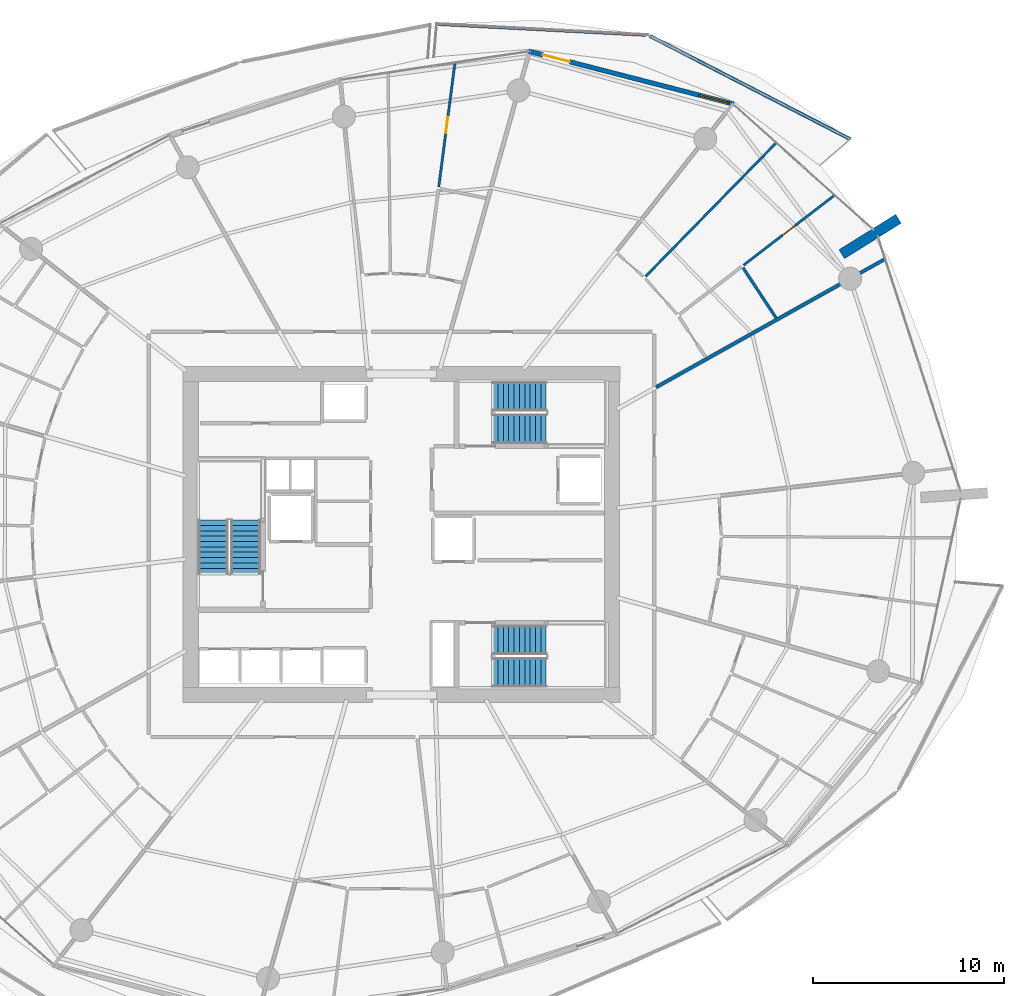
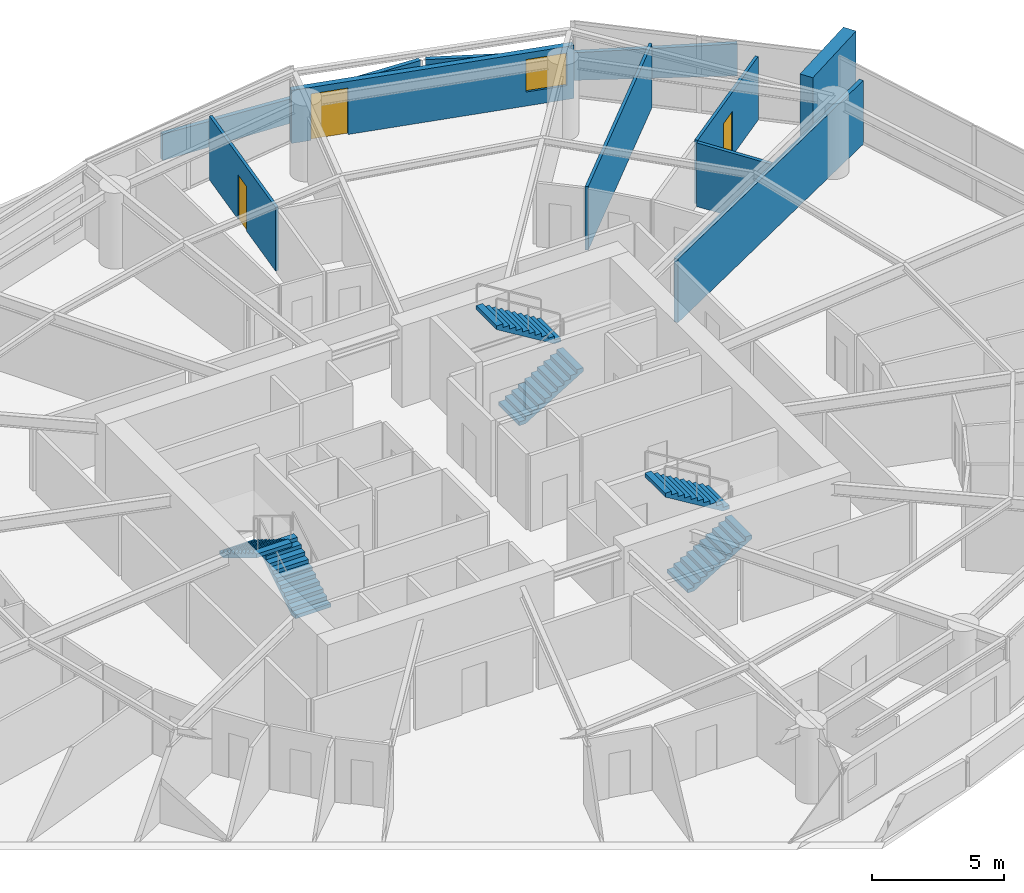
# One storey, part 16 of 23: 9 walls, 6 stair flights, 3 doors, 1 window, 4 openings, 3 elements without a shape of their own.
"""IFC4 building model written with IfcOpenShell, lengths in metres."""

from ifc_helpers import new_model, si_unit, direction, frame, frame_2d, origin, place, context, subcontext, project, spatial, polyline, rectangle, outline, extrude, material, layer, layer_set, type_object, element, fill, aggregate, save


model = new_model("IFC4")

# Units and contexts
model_context = context("Model", 3, precision=1e-05, world=origin(), true_north=direction((0.0, 1.0)))
body_context = subcontext(model_context, "Body", "Model", "MODEL_VIEW")
ifc_project = project(units=[si_unit("LENGTHUNIT", "METRE"), si_unit("AREAUNIT", "SQUARE_METRE"), si_unit("VOLUMEUNIT", "CUBIC_METRE"), si_unit("PLANEANGLEUNIT", "RADIAN"), si_unit("MASSUNIT", "GRAM", prefix="KILO")], contexts=[model_context])

# Site, building, storey
site_placement = place(None, origin())
site = spatial("IfcSite", under=ifc_project, at=site_placement, CompositionType="ELEMENT")
building_placement = place(site_placement, origin())
building = spatial("IfcBuilding", under=site, at=building_placement, Name="Kazma Halo Residences", CompositionType="ELEMENT")
storey_placement = place(building_placement, frame((0.0, 0.0, 82.64990234375)))
storey = spatial("IfcBuildingStorey", under=building, at=storey_placement, Name="L20", CompositionType="ELEMENT", Elevation=82.64990234375)

# Walls
ifc_material_1 = material(Name="White Concrete C50/60 Balustrade", Category="concrete")
ifc_layer_1 = layer(ifc_material_1, 0.179931640625)
ifc_layer_set_1 = layer_set([ifc_layer_1], Name="White Concrete C50/60 Balustrade")
wall_type_1 = type_object("IfcWallType", Name="WL-BAL-WAVE-180", PredefinedType="PARAPET", material=ifc_layer_set_1)
wall_1_placement = place(storey_placement, frame((71.92041015625, 62.68408203125, 0.0), z_axis=(0.0, 0.0, 1.0), x_axis=(-0.888984508261, 0.457937270892, 0.0)))
element("IfcWall", 1, at=wall_1_placement, inside=storey, type_object=wall_type_1, Name="L20 white wave balustrade wall NE.1", PredefinedType="PARAPET", context=body_context, shape_type="SweptSolid", body=[
    extrude(outline(polyline([(0.0, 0.0), (11.802978515625, 0.0), (11.802978515625, 1.148193359375), (5.901611328125, 1.2841796875), (0.0, 1.483154296875), (0.0, 0.0)])), frame((0.0, 0.08984375, 0.0), z_axis=(0.0, -1.0, 0.0), x_axis=(1.0, 0.0, 0.0)), (0.0, 0.0, 1.0), 0.179931640625),
])
wall_2_placement = place(storey_placement, frame((61.201416015625, 68.150390625, 0.0), z_axis=(0.0, 0.0, 1.0), x_axis=(-0.998637836961, 0.052177299569, 0.0)))
element("IfcWall", 2, at=wall_2_placement, inside=storey, type_object=wall_type_1, Name="L20 white wave balustrade wall NE.2", PredefinedType="PARAPET", context=body_context, shape_type="SweptSolid", body=[
    extrude(outline(polyline([(0.0, 0.0), (10.948974609375, 0.0), (10.94873046875, 1.22412109375), (5.474365234375, 1.127197265625), (0.0, 1.148193359375), (0.0, 0.0)])), frame((0.0, 0.08984375, 0.0), z_axis=(0.0, -1.0, 0.0), x_axis=(1.0, 0.0, 0.0)), (0.0, 0.0, 1.0), 0.179931640625),
])
ifc_material_2 = material(Name="Pale Concrete C60/75", Category="concrete")
ifc_layer_2 = layer(ifc_material_2, 0.550048828125)
ifc_layer_set_2 = layer_set([ifc_layer_2], Name="Pale Concrete C60/75")
wall_type_2 = type_object("IfcWallType", Name="WL-BLADE-550", PredefinedType="SOLIDWALL", material=ifc_layer_set_2)
wall_3_placement = place(storey_placement, frame((71.468505859375, 56.664794921875, 0.0), z_axis=(0.0, 0.0, 1.0), x_axis=(0.848053161125, 0.529911158502, 0.0)))
element("IfcWall", 3, at=wall_3_placement, inside=storey, type_object=wall_type_2, Name="L20 pale concrete structural blade fin wall BW-01", PredefinedType="SOLIDWALL", context=body_context, shape_type="SweptSolid", body=[
    extrude(rectangle(XDim=3.5, YDim=0.550048828125, at=frame_2d((1.75, 0.0))), origin(), (0.0, 0.0, 1.0), 3.75),
])
ifc_material_3 = material(Name="Acoustic Twin-Stud Gypsum")
ifc_layer_3 = layer(ifc_material_3, 0.179931640625)
ifc_layer_set_3 = layer_set([ifc_layer_3], Name="Acoustic Twin-Stud Gypsum")
wall_type_3 = type_object("IfcWallType", Name="WL-DEM-180", PredefinedType="PARTITIONING", material=ifc_layer_set_3)
wall_4_placement = place(storey_placement, frame((61.74609375, 49.697998046875, 0.0), z_axis=(0.0, 0.0, 1.0), x_axis=(0.872489938668, 0.488632077256, 0.0)))
element("IfcWall", 4, at=wall_4_placement, inside=storey, type_object=wall_type_3, Name="L20 apartment demising radial wall 00", PredefinedType="PARTITIONING", context=body_context, shape_type="SweptSolid", body=[
    extrude(rectangle(XDim=13.724609375, YDim=0.179931640625, at=frame_2d((6.8623046875, 0.0))), origin(), (0.0, 0.0, 1.0), 2.940185546875),
])

# Wall, openings, door, window
ifc_material_4 = material(Name="Insulated Pale-Metal Composite Wall")
ifc_layer_4 = layer(ifc_material_4, 0.239990234375)
ifc_layer_set_4 = layer_set([ifc_layer_4], Name="Insulated Pale-Metal Composite Wall")
wall_type_4 = type_object("IfcWallType", Name="WL-EXT-HOST-240", PredefinedType="SOLIDWALL", material=ifc_layer_set_4)
wall_5_placement = place(storey_placement, frame((65.81396484375, 64.52294921875, 0.0), z_axis=(0.0, 0.0, 1.0), x_axis=(-0.968356180858, 0.249572248045, 0.0)))
wall_5 = element("IfcWall", 5, at=wall_5_placement, inside=storey, type_object=wall_type_4, Name="L20 exterior terrace-access wall B02", PredefinedType="SOLIDWALL", context=body_context, shape_type="SweptSolid", body=[
    extrude(rectangle(XDim=11.08447265625, YDim=0.239990234375, at=frame_2d((5.542236328125, 0.0))), origin(), (0.0, 0.0, 1.0), 2.4501953125),
])
opening_1_placement = place(wall_5_placement, frame((8.864501953125, 0.0, 0.0)))
opening_1 = element("IfcOpeningElement", 6, at=opening_1_placement, cuts=wall_5, Name="Opening DTR-1600", PredefinedType="OPENING", context=body_context, shape_type="SweptSolid", body=[
    extrude(rectangle(XDim=1.449951171875, YDim=2.14990234375, at=frame_2d((0.72509765625, 1.074951171875))), frame((0.0, 0.1298828125, 0.0), z_axis=(0.0, -1.0, 0.0), x_axis=(1.0, 0.0, 0.0)), (0.0, 0.0, 1.0), 0.260009765625),
])
opening_2_placement = place(wall_5_placement, frame((0.280029296875, 0.0, 0.64990234375)))
opening_2 = element("IfcOpeningElement", 7, at=opening_2_placement, cuts=wall_5, Name="Opening W-1800", PredefinedType="OPENING", context=body_context, shape_type="SweptSolid", body=[
    extrude(rectangle(XDim=1.60009765625, YDim=1.5, at=frame_2d((0.800048828125, 0.75))), frame((0.0, 0.1298828125, 0.0), z_axis=(0.0, -1.0, 0.0), x_axis=(1.0, 0.0, 0.0)), (0.0, 0.0, 1.0), 0.260009765625),
])
ifc_material_5 = material(Name="Aluminium AW-6063 T6 Double-Glazed Terrace Door", Category="aluminium")
door_type_1 = type_object("IfcDoorType", Name="DR-EXT-TERR-1600", OperationType="NOTDEFINED", PredefinedType="DOOR", material=ifc_material_5)
door_1_placement = place(opening_1_placement, origin())
door_1 = element("IfcDoor", 8, at=door_1_placement, inside=storey, type_object=door_type_1, Name="L20 B02 balcony terrace door", OperationType="DOUBLE_DOOR_SLIDING", OverallHeight=2.14990234375, OverallWidth=1.449951171875, PredefinedType="DOOR", context=body_context, shape_type="SweptSolid", body=[
    extrude(rectangle(XDim=1.449951171875, YDim=2.14990234375, at=frame_2d((0.72509765625, 1.074951171875))), frame((0.0, 0.02490234375, 0.0), z_axis=(0.0, -1.0, 0.0), x_axis=(1.0, 0.0, 0.0)), (0.0, 0.0, 1.0), 0.050048828125),
])
fill(opening_1, door_1)
ifc_material_6 = material(Name="Clear Triple-Silver Low-E Glass in Aluminium AW-6063 T6 Frame", Category="aluminium")
window_type = type_object("IfcWindowType", Name="WIN-RES-1800", PartitioningType="DOUBLE_PANEL_VERTICAL", PredefinedType="WINDOW", material=ifc_material_6)
window_placement = place(opening_2_placement, origin())
window = element("IfcWindow", 9, at=window_placement, inside=storey, type_object=window_type, Name="L20 B02 apartment window", OverallHeight=1.5, OverallWidth=1.60009765625, PartitioningType="SINGLE_PANEL", PredefinedType="WINDOW", context=body_context, shape_type="SweptSolid", body=[
    extrude(rectangle(XDim=1.60009765625, YDim=1.5, at=frame_2d((0.800048828125, 0.75))), frame((0.0, 0.030029296875, 0.0), z_axis=(0.0, -1.0, 0.0), x_axis=(1.0, 0.0, 0.0)), (0.0, 0.0, 1.0), 0.06005859375),
])
fill(opening_2, window)

# Wall, opening, door
ifc_material_7 = material(Name="Gypsum Plasterboard Partition")
ifc_layer_5 = layer(ifc_material_7, 0.125)
ifc_layer_set_5 = layer_set([ifc_layer_5], Name="Gypsum Plasterboard Partition")
wall_type_5 = type_object("IfcWallType", Name="WL-PART-125", PredefinedType="PARTITIONING", material=ifc_layer_set_5)
wall_6_placement = place(storey_placement, frame((66.322998046875, 56.08642578125, 0.0), z_axis=(0.0, 0.0, 1.0), x_axis=(0.792792040596, 0.60949223159, 0.0)))
wall_6 = element("IfcWall", 10, at=wall_6_placement, inside=storey, type_object=wall_type_5, Name="L20 Apartment 5 Household Store Room partition wall", PredefinedType="PARTITIONING", context=body_context, shape_type="SweptSolid", body=[
    extrude(rectangle(XDim=5.99365234375, YDim=0.125, at=frame_2d((2.996826171875, 0.0))), origin(), (0.0, 0.0, 1.0), 2.940185546875),
])
opening_3_placement = place(wall_6_placement, frame((2.57177734375, 0.0, 0.0)))
opening_3 = element("IfcOpeningElement", 11, at=opening_3_placement, cuts=wall_6, Name="Opening DB-900", PredefinedType="OPENING", context=body_context, shape_type="SweptSolid", body=[
    extrude(rectangle(XDim=0.85009765625, YDim=2.06005859375, at=frame_2d((0.425048828125, 1.030029296875))), frame((0.0, 0.072509765625, 0.0), z_axis=(0.0, -1.0, 0.0), x_axis=(1.0, 0.0, 0.0)), (0.0, 0.0, 1.0), 0.14501953125),
])
ifc_material_8 = material(Name="Moisture-Sealed Timber Leaf", Category="wood")
door_type_2 = type_object("IfcDoorType", Name="DR-BTH-900", OperationType="NOTDEFINED", PredefinedType="DOOR", material=ifc_material_8)
door_2_placement = place(opening_3_placement, origin())
door_2 = element("IfcDoor", 12, at=door_2_placement, inside=storey, type_object=door_type_2, Name="L20 Apartment 5 Household Store Room door", OperationType="SINGLE_SWING_RIGHT", OverallHeight=2.06005859375, OverallWidth=0.85009765625, PredefinedType="DOOR", context=body_context, shape_type="SweptSolid", body=[
    extrude(rectangle(XDim=0.85009765625, YDim=2.06005859375, at=frame_2d((0.425048828125, 1.030029296875))), frame((0.0, 0.02490234375, 0.0), z_axis=(0.0, -1.0, 0.0), x_axis=(1.0, 0.0, 0.0)), (0.0, 0.0, 1.0), 0.050048828125),
])
fill(opening_3, door_2)

# Wall
wall_7_placement = place(storey_placement, frame((61.20751953125, 55.50830078125, 0.0), z_axis=(0.0, 0.0, 1.0), x_axis=(0.699096858951, 0.715026979774, 0.0)))
element("IfcWall", 13, at=wall_7_placement, inside=storey, type_object=wall_type_5, Name="L20 Apartment 5 suite divider 0", PredefinedType="PARTITIONING", context=body_context, shape_type="SweptSolid", body=[
    extrude(rectangle(XDim=9.7470703125, YDim=0.125, at=frame_2d((4.87353515625, 0.0))), origin(), (0.0, 0.0, 1.0), 2.940185546875),
])

# Wall, opening, door
wall_8_placement = place(storey_placement, frame((50.37841796875, 60.194091796875, 0.0), z_axis=(0.0, 0.0, 1.0), x_axis=(0.129622249643, 0.991563448498, 0.0)))
wall_8 = element("IfcWall", 14, at=wall_8_placement, inside=storey, type_object=wall_type_5, Name="L20 Apartment 6 Utility Laundry Room partition wall", PredefinedType="PARTITIONING", context=body_context, shape_type="SweptSolid", body=[
    extrude(rectangle(XDim=6.5263671875, YDim=0.125, at=frame_2d((3.26318359375, 0.0))), origin(), (0.0, 0.0, 1.0), 2.940185546875),
])
opening_4_placement = place(wall_8_placement, frame((2.838134765625, 0.0, 0.0)))
opening_4 = element("IfcOpeningElement", 15, at=opening_4_placement, cuts=wall_8, Name="Opening DB-900", PredefinedType="OPENING", context=body_context, shape_type="SweptSolid", body=[
    extrude(rectangle(XDim=0.85009765625, YDim=2.06005859375, at=frame_2d((0.425048828125, 1.030029296875))), frame((0.0, 0.072509765625, 0.0), z_axis=(0.0, -1.0, 0.0), x_axis=(1.0, 0.0, 0.0)), (0.0, 0.0, 1.0), 0.14501953125),
])
door_3_placement = place(opening_4_placement, origin())
door_3 = element("IfcDoor", 16, at=door_3_placement, inside=storey, type_object=door_type_2, Name="L20 Apartment 6 Utility Laundry Room door", OperationType="SINGLE_SWING_RIGHT", OverallHeight=2.06005859375, OverallWidth=0.85009765625, PredefinedType="DOOR", context=body_context, shape_type="SweptSolid", body=[
    extrude(rectangle(XDim=0.85009765625, YDim=2.06005859375, at=frame_2d((0.425048828125, 1.030029296875))), frame((0.0, 0.02490234375, 0.0), z_axis=(0.0, -1.0, 0.0), x_axis=(1.0, 0.0, 0.0)), (0.0, 0.0, 1.0), 0.050048828125),
])
fill(opening_4, door_3)

# Wall
ifc_material_9 = material(Name="Moisture-Resistant Gypsum")
ifc_layer_6 = layer(ifc_material_9, 0.14990234375)
ifc_layer_set_6 = layer_set([ifc_layer_6], Name="Moisture-Resistant Gypsum")
wall_type_6 = type_object("IfcWallType", Name="WL-WET-150", PredefinedType="PARTITIONING", material=ifc_layer_set_6)
wall_9_placement = place(storey_placement, frame((68.031494140625, 53.33251953125, 0.0), z_axis=(0.0, 0.0, 1.0), x_axis=(-0.550480727927, 0.83484787128, 0.0)))
element("IfcWall", 17, at=wall_9_placement, inside=storey, type_object=wall_type_6, Name="L20 Apartment 5 Guest Bathroom back wall", PredefinedType="PARTITIONING", context=body_context, shape_type="SweptSolid", body=[
    extrude(rectangle(XDim=3.14306640625, YDim=0.14990234375, at=frame_2d((1.571533203125, 0.0))), origin(), (0.0, 0.0, 1.0), 2.940185546875),
])

# Stair, stair flights
ifc_material_10 = material(Name="Concrete C50/60", Category="concrete")
stair_type = type_object("IfcStairType", Name="STR-RES1", PredefinedType="HALF_TURN_STAIR", material=ifc_material_10)
stair_1_placement = place(storey_placement, origin())
stair_1 = element("IfcStair", 18, at=stair_1_placement, inside=storey, type_object=stair_type, Name="L20 Core exit stair ST-01", PredefinedType="HALF_TURN_STAIR")
stair_flight_type = type_object("IfcStairFlightType", Name="STR-RES1-FLT", PredefinedType="STRAIGHT", material=ifc_material_10)
stair_flight_1_placement = place(storey_placement, frame((40.27490234375, 39.949951171875, 0.0), z_axis=(0.0, 0.0, 1.0), x_axis=(0.0, 1.0, 0.0)))
stair_flight_1 = element("IfcStairFlight", 19, at=stair_flight_1_placement, type_object=stair_flight_type, Name="ST-01 flight 1", NumberOfRisers=11, NumberOfTreads=10, PredefinedType="STRAIGHT", RiserHeight=0.170454545, TreadLength=0.28, context=body_context, shape_type="SweptSolid", body=[
    extrude(outline(polyline([(0.0, 0.0), (0.0, 0.17041015625), (0.280029296875, 0.17041015625), (0.280029296875, 0.3408203125), (0.56005859375, 0.3408203125), (0.56005859375, 0.511474609375), (0.840087890625, 0.511474609375), (0.840087890625, 0.681884765625), (1.1201171875, 0.681884765625), (1.1201171875, 0.852294921875), (1.39990234375, 0.852294921875), (1.39990234375, 1.022705078125), (1.679931640625, 1.022705078125), (1.679931640625, 1.193115234375), (1.9599609375, 1.193115234375), (1.9599609375, 1.363525390625), (2.239990234375, 1.363525390625), (2.239990234375, 1.5341796875), (2.52001953125, 1.5341796875), (2.52001953125, 1.70458984375), (2.800048828125, 1.70458984375), (2.800048828125, 1.875), (2.800048828125, 1.529052734375), (0.288330078125, 0.0), (0.0, 0.0)])), frame((0.0, 0.77490234375, 0.0), z_axis=(0.0, -1.0, 0.0), x_axis=(1.0, 0.0, 0.0)), (0.0, 0.0, 1.0), 1.550048828125),
])
stair_flight_2_placement = place(storey_placement, frame((38.574951171875, 42.75, 1.875), z_axis=(0.0, 0.0, 1.0), x_axis=(0.0, -1.0, 0.0)))
stair_flight_2 = element("IfcStairFlight", 20, at=stair_flight_2_placement, type_object=stair_flight_type, Name="ST-01 flight 2", NumberOfRisers=11, NumberOfTreads=10, PredefinedType="STRAIGHT", RiserHeight=0.170454545, TreadLength=0.28, context=body_context, shape_type="SweptSolid", body=[
    extrude(outline(polyline([(0.0, 0.0), (0.0, 0.17041015625), (0.280029296875, 0.17041015625), (0.280029296875, 0.3408203125), (0.56005859375, 0.3408203125), (0.56005859375, 0.511474609375), (0.840087890625, 0.511474609375), (0.840087890625, 0.681884765625), (1.1201171875, 0.681884765625), (1.1201171875, 0.852294921875), (1.39990234375, 0.852294921875), (1.39990234375, 1.022705078125), (1.679931640625, 1.022705078125), (1.679931640625, 1.193115234375), (1.9599609375, 1.193115234375), (1.9599609375, 1.363525390625), (2.239990234375, 1.363525390625), (2.239990234375, 1.5341796875), (2.52001953125, 1.5341796875), (2.52001953125, 1.70458984375), (2.800048828125, 1.70458984375), (2.800048828125, 1.875), (2.800048828125, 1.529052734375), (0.288330078125, 0.0), (0.0, 0.0)])), frame((0.0, 0.77490234375, 0.0), z_axis=(0.0, -1.0, 0.0), x_axis=(1.0, 0.0, 0.0)), (0.0, 0.0, 1.0), 1.550048828125),
])
aggregate(stair_1, [stair_flight_1, stair_flight_2])

stair_2_placement = place(storey_placement, origin())
stair_2 = element("IfcStair", 21, at=stair_2_placement, inside=storey, type_object=stair_type, Name="L20 Core exit stair ST-02", PredefinedType="HALF_TURN_STAIR")
stair_flight_3_placement = place(storey_placement, frame((53.199951171875, 47.52490234375, 0.0), z_axis=(0.0, 0.0, 1.0), x_axis=(1.0, 0.0, 0.0)))
stair_flight_3 = element("IfcStairFlight", 22, at=stair_flight_3_placement, type_object=stair_flight_type, Name="ST-02 flight 1", NumberOfRisers=11, NumberOfTreads=10, PredefinedType="STRAIGHT", RiserHeight=0.170454545, TreadLength=0.28, context=body_context, shape_type="SweptSolid", body=[
    extrude(outline(polyline([(0.0, 0.0), (0.0, 0.17041015625), (0.280029296875, 0.17041015625), (0.280029296875, 0.3408203125), (0.56005859375, 0.3408203125), (0.56005859375, 0.511474609375), (0.840087890625, 0.511474609375), (0.840087890625, 0.681884765625), (1.1201171875, 0.681884765625), (1.1201171875, 0.852294921875), (1.39990234375, 0.852294921875), (1.39990234375, 1.022705078125), (1.679931640625, 1.022705078125), (1.679931640625, 1.193115234375), (1.9599609375, 1.193115234375), (1.9599609375, 1.363525390625), (2.239990234375, 1.363525390625), (2.239990234375, 1.5341796875), (2.52001953125, 1.5341796875), (2.52001953125, 1.70458984375), (2.800048828125, 1.70458984375), (2.800048828125, 1.875), (2.800048828125, 1.529052734375), (0.288330078125, 0.0), (0.0, 0.0)])), frame((0.0, 0.77490234375, 0.0), z_axis=(0.0, -1.0, 0.0), x_axis=(1.0, 0.0, 0.0)), (0.0, 0.0, 1.0), 1.550048828125),
])
stair_flight_4_placement = place(storey_placement, frame((56.0, 49.22509765625, 1.875), z_axis=(0.0, 0.0, 1.0), x_axis=(-1.0, 0.0, 0.0)))
stair_flight_4 = element("IfcStairFlight", 23, at=stair_flight_4_placement, type_object=stair_flight_type, Name="ST-02 flight 2", NumberOfRisers=11, NumberOfTreads=10, PredefinedType="STRAIGHT", RiserHeight=0.170454545, TreadLength=0.28, context=body_context, shape_type="SweptSolid", body=[
    extrude(outline(polyline([(0.0, 0.0), (0.0, 0.17041015625), (0.280029296875, 0.17041015625), (0.280029296875, 0.3408203125), (0.56005859375, 0.3408203125), (0.56005859375, 0.511474609375), (0.840087890625, 0.511474609375), (0.840087890625, 0.681884765625), (1.1201171875, 0.681884765625), (1.1201171875, 0.852294921875), (1.39990234375, 0.852294921875), (1.39990234375, 1.022705078125), (1.679931640625, 1.022705078125), (1.679931640625, 1.193115234375), (1.9599609375, 1.193115234375), (1.9599609375, 1.363525390625), (2.239990234375, 1.363525390625), (2.239990234375, 1.5341796875), (2.52001953125, 1.5341796875), (2.52001953125, 1.70458984375), (2.800048828125, 1.70458984375), (2.800048828125, 1.875), (2.800048828125, 1.529052734375), (0.288330078125, 0.0), (0.0, 0.0)])), frame((0.0, 0.77490234375, 0.0), z_axis=(0.0, -1.0, 0.0), x_axis=(1.0, 0.0, 0.0)), (0.0, 0.0, 1.0), 1.550048828125),
])
aggregate(stair_2, [stair_flight_3, stair_flight_4])

stair_3_placement = place(storey_placement, origin())
stair_3 = element("IfcStair", 24, at=stair_3_placement, inside=storey, type_object=stair_type, Name="L20 Core exit stair ST-03", PredefinedType="HALF_TURN_STAIR")
stair_flight_5_placement = place(storey_placement, frame((53.199951171875, 34.77490234375, 0.0), z_axis=(0.0, 0.0, 1.0), x_axis=(1.0, 0.0, 0.0)))
stair_flight_5 = element("IfcStairFlight", 25, at=stair_flight_5_placement, type_object=stair_flight_type, Name="ST-03 flight 1", NumberOfRisers=11, NumberOfTreads=10, PredefinedType="STRAIGHT", RiserHeight=0.170454545, TreadLength=0.28, context=body_context, shape_type="SweptSolid", body=[
    extrude(outline(polyline([(0.0, 0.0), (0.0, 0.17041015625), (0.280029296875, 0.17041015625), (0.280029296875, 0.3408203125), (0.56005859375, 0.3408203125), (0.56005859375, 0.511474609375), (0.840087890625, 0.511474609375), (0.840087890625, 0.681884765625), (1.1201171875, 0.681884765625), (1.1201171875, 0.852294921875), (1.39990234375, 0.852294921875), (1.39990234375, 1.022705078125), (1.679931640625, 1.022705078125), (1.679931640625, 1.193115234375), (1.9599609375, 1.193115234375), (1.9599609375, 1.363525390625), (2.239990234375, 1.363525390625), (2.239990234375, 1.5341796875), (2.52001953125, 1.5341796875), (2.52001953125, 1.70458984375), (2.800048828125, 1.70458984375), (2.800048828125, 1.875), (2.800048828125, 1.529052734375), (0.288330078125, 0.0), (0.0, 0.0)])), frame((0.0, 0.77490234375, 0.0), z_axis=(0.0, -1.0, 0.0), x_axis=(1.0, 0.0, 0.0)), (0.0, 0.0, 1.0), 1.550048828125),
])
stair_flight_6_placement = place(storey_placement, frame((56.0, 36.47509765625, 1.875), z_axis=(0.0, 0.0, 1.0), x_axis=(-1.0, 0.0, 0.0)))
stair_flight_6 = element("IfcStairFlight", 26, at=stair_flight_6_placement, type_object=stair_flight_type, Name="ST-03 flight 2", NumberOfRisers=11, NumberOfTreads=10, PredefinedType="STRAIGHT", RiserHeight=0.170454545, TreadLength=0.28, context=body_context, shape_type="SweptSolid", body=[
    extrude(outline(polyline([(0.0, 0.0), (0.0, 0.17041015625), (0.280029296875, 0.17041015625), (0.280029296875, 0.3408203125), (0.56005859375, 0.3408203125), (0.56005859375, 0.511474609375), (0.840087890625, 0.511474609375), (0.840087890625, 0.681884765625), (1.1201171875, 0.681884765625), (1.1201171875, 0.852294921875), (1.39990234375, 0.852294921875), (1.39990234375, 1.022705078125), (1.679931640625, 1.022705078125), (1.679931640625, 1.193115234375), (1.9599609375, 1.193115234375), (1.9599609375, 1.363525390625), (2.239990234375, 1.363525390625), (2.239990234375, 1.5341796875), (2.52001953125, 1.5341796875), (2.52001953125, 1.70458984375), (2.800048828125, 1.70458984375), (2.800048828125, 1.875), (2.800048828125, 1.529052734375), (0.288330078125, 0.0), (0.0, 0.0)])), frame((0.0, 0.77490234375, 0.0), z_axis=(0.0, -1.0, 0.0), x_axis=(1.0, 0.0, 0.0)), (0.0, 0.0, 1.0), 1.550048828125),
])
aggregate(stair_3, [stair_flight_5, stair_flight_6])

save(model, "model.ifc")
